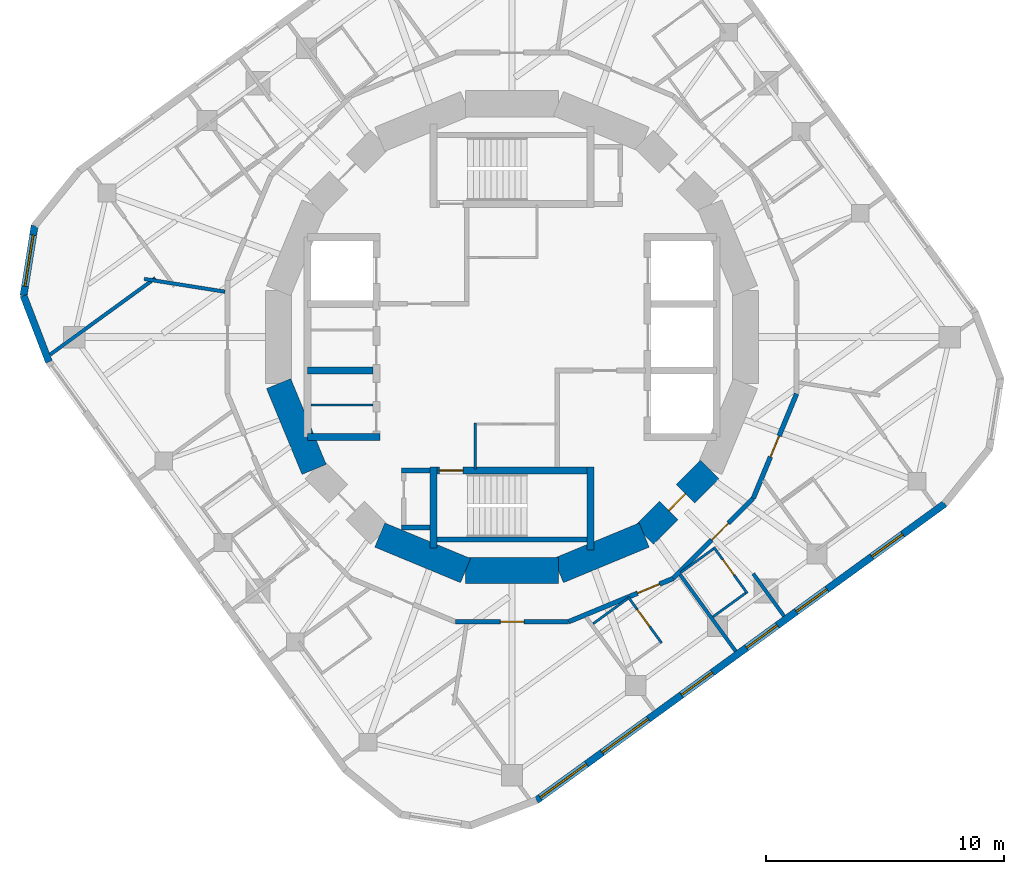
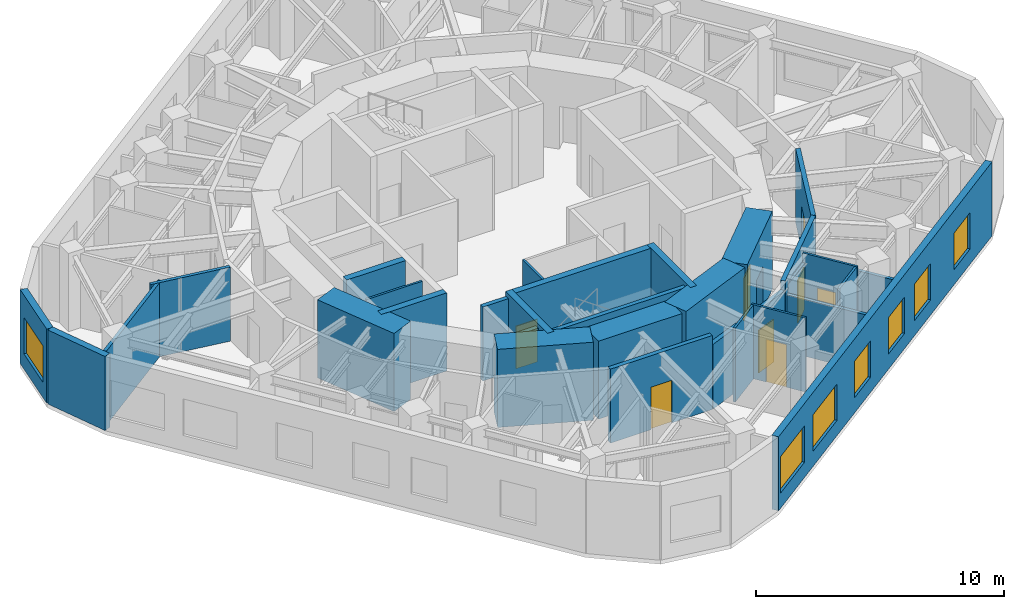
# One storey, part 4 of 9: 31 walls, 8 doors, 7 windows, 15 openings.
"""IFC4 building model written with IfcOpenShell, lengths in metres."""

from ifc_helpers import new_model, si_unit, direction, frame, frame_2d, origin, place, context, subcontext, project, spatial, rectangle, extrude, material, layer, layer_set, type_object, element, fill, save


model = new_model("IFC4")

# Units and contexts
model_context = context("Model", 3, precision=1e-05, world=origin(), true_north=direction((0.0, 1.0)))
body_context = subcontext(model_context, "Body", "Model", "MODEL_VIEW")
ifc_project = project(units=[si_unit("LENGTHUNIT", "METRE"), si_unit("AREAUNIT", "SQUARE_METRE"), si_unit("VOLUMEUNIT", "CUBIC_METRE"), si_unit("PLANEANGLEUNIT", "RADIAN"), si_unit("MASSUNIT", "GRAM", prefix="KILO")], contexts=[model_context])

# Site, building, storey
site_placement = place(None, origin())
site = spatial("IfcSite", under=ifc_project, at=site_placement, CompositionType="ELEMENT")
building_placement = place(site_placement, origin())
building = spatial("IfcBuilding", under=site, at=building_placement, Name="Nakasero Lantern House", CompositionType="ELEMENT")
storey_placement = place(building_placement, frame((0.0, 0.0, 267.60009765625)))
storey = spatial("IfcBuildingStorey", under=building, at=storey_placement, Name="L65", CompositionType="ELEMENT", Elevation=267.60009765625)

# Walls
ifc_material_1 = material(Name="Concrete C50/60", Category="concrete")
ifc_layer_1 = layer(ifc_material_1, 0.300048828125)
ifc_layer_set_1 = layer_set([ifc_layer_1], Name="Core inner wall 300")
wall_type_1 = type_object("IfcWallType", Name="Core inner wall 300", PredefinedType="SHEAR", material=ifc_layer_set_1)
wall_1_placement = place(storey_placement, frame((-8.60009765625, -4.199951171875, 0.0), z_axis=(0.0, 0.0, 1.0), x_axis=(1.0, 0.0, 0.0)))
element("IfcWall", 1, at=wall_1_placement, inside=storey, type_object=wall_type_1, Name="Core inner wall L65 LWS", PredefinedType="SHEAR", context=body_context, shape_type="SweptSolid", body=[
    extrude(rectangle(XDim=3.050048828125, YDim=0.300048828125, at=frame_2d((1.52490234375, 0.0))), origin(), (0.0, 0.0, 1.0), 3.849853515625),
])
wall_2_placement = place(storey_placement, frame((-8.60009765625, -1.39990234375, 0.0), z_axis=(0.0, 0.0, 1.0), x_axis=(1.0, 0.0, 0.0)))
element("IfcWall", 2, at=wall_2_placement, inside=storey, type_object=wall_type_1, Name="Core inner wall L65 LW1", PredefinedType="SHEAR", context=body_context, shape_type="SweptSolid", body=[
    extrude(rectangle(XDim=2.75, YDim=0.300048828125, at=frame_2d((1.375, 0.0))), origin(), (0.0, 0.0, 1.0), 3.849853515625),
])

# Wall, opening, door
wall_3_placement = place(storey_placement, frame((-3.449951171875, -5.60009765625, 0.0), z_axis=(0.0, 0.0, 1.0), x_axis=(1.0, 0.0, 0.0)))
wall_3 = element("IfcWall", 3, at=wall_3_placement, inside=storey, type_object=wall_type_1, Name="Core inner wall L65 SS", PredefinedType="SHEAR", context=body_context, shape_type="SweptSolid", body=[
    extrude(rectangle(XDim=6.89990234375, YDim=0.300048828125, at=frame_2d((3.449951171875, 0.0))), origin(), (0.0, 0.0, 1.0), 3.849853515625),
])
opening_1_placement = place(wall_3_placement, frame((0.39990234375, 0.0, 0.0)))
opening_1 = element("IfcOpeningElement", 4, at=opening_1_placement, cuts=wall_3, Name="Opening D05", PredefinedType="OPENING", context=body_context, shape_type="SweptSolid", body=[
    extrude(rectangle(XDim=1.0, YDim=2.10009765625, at=frame_2d((0.5, 1.050048828125))), frame((0.0, 0.169921875, 0.0), z_axis=(0.0, -1.0, 0.0), x_axis=(1.0, 0.0, 0.0)), (0.0, 0.0, 1.0), 0.340087890625),
])
ifc_material_2 = material(Name="Timber C24", Category="wood")
door_type_1 = type_object("IfcDoorType", Name="Core door FD60S 1000", OperationType="SINGLE_SWING_LEFT", PredefinedType="DOOR", material=ifc_material_2)
door_1_placement = place(opening_1_placement, origin())
door_1 = element("IfcDoor", 5, at=door_1_placement, inside=storey, type_object=door_type_1, Name="Door L65 D-ST2", OperationType="SINGLE_SWING_LEFT", OverallHeight=2.10009765625, OverallWidth=1.0, PredefinedType="DOOR", context=body_context, shape_type="SweptSolid", body=[
    extrude(rectangle(XDim=1.0, YDim=2.10009765625, at=frame_2d((0.5, 1.050048828125))), frame((0.0, 0.02490234375, 0.0), z_axis=(0.0, -1.0, 0.0), x_axis=(1.0, 0.0, 0.0)), (0.0, 0.0, 1.0), 0.050048828125),
])
fill(opening_1, door_1)

# Walls
wall_4_placement = place(storey_placement, frame((-3.300048828125, -5.449951171875, 0.0), z_axis=(0.0, 0.0, 1.0), x_axis=(0.0, -1.0, 0.0)))
element("IfcWall", 6, at=wall_4_placement, inside=storey, type_object=wall_type_1, Name="Core inner wall L65 SSW", PredefinedType="SHEAR", context=body_context, shape_type="SweptSolid", body=[
    extrude(rectangle(XDim=3.400146484375, YDim=0.300048828125, at=frame_2d((1.7001953125, 0.0))), origin(), (0.0, 0.0, 1.0), 3.849853515625),
])
wall_5_placement = place(storey_placement, frame((3.300048828125, -5.449951171875, 0.0), z_axis=(0.0, 0.0, 1.0), x_axis=(0.0, -1.0, 0.0)))
element("IfcWall", 7, at=wall_5_placement, inside=storey, type_object=wall_type_1, Name="Core inner wall L65 SSE", PredefinedType="SHEAR", context=body_context, shape_type="SweptSolid", body=[
    extrude(rectangle(XDim=3.5, YDim=0.300048828125, at=frame_2d((1.75, 0.0))), origin(), (0.0, 0.0, 1.0), 3.849853515625),
])
ifc_material_3 = material(Name="Blockwork", Category="masonry")
ifc_layer_2 = layer(ifc_material_3, 0.10009765625)
ifc_layer_set_2 = layer_set([ifc_layer_2], Name="Core room wall 100")
wall_type_2 = type_object("IfcWallType", Name="Core room wall 100", PredefinedType="PARTITIONING", material=ifc_layer_set_2)
wall_6_placement = place(storey_placement, frame((-1.550048828125, -5.550048828125, 0.0), z_axis=(0.0, 0.0, 1.0), x_axis=(0.0, 1.0, 0.0)))
element("IfcWall", 8, at=wall_6_placement, inside=storey, type_object=wall_type_2, Name="Core room wall L65 CR-SWW", PredefinedType="PARTITIONING", context=body_context, shape_type="SweptSolid", body=[
    extrude(rectangle(XDim=1.949951171875, YDim=0.10009765625, at=frame_2d((0.97509765625, 0.0))), origin(), (0.0, 0.0, 1.0), 3.64990234375),
])
wall_7_placement = place(storey_placement, frame((-8.449951171875, -2.85009765625, 0.0), z_axis=(0.0, 0.0, 1.0), x_axis=(1.0, 0.0, 0.0)))
element("IfcWall", 9, at=wall_7_placement, inside=storey, type_object=wall_type_2, Name="Core room wall L65 CR-SH-LW1b", PredefinedType="PARTITIONING", context=body_context, shape_type="SweptSolid", body=[
    extrude(rectangle(XDim=2.599853515625, YDim=0.10009765625, at=frame_2d((1.2998046875, 0.0))), origin(), (0.0, 0.0, 1.0), 3.64990234375),
])
ifc_material_4 = material(Name="Concrete C50/60", Category="concrete")
ifc_layer_3 = layer(ifc_material_4, 1.10009765625)
ifc_layer_set_3 = layer_set([ifc_layer_3], Name="Core wall 1100")
wall_type_3 = type_object("IfcWallType", Name="Core wall 1100", PredefinedType="SHEAR", material=ifc_layer_set_3)
for number, where, z_axis, x_axis, name in (
    (10, (-9.807861328125, -1.950927734375, 0.0), (0.0, 0.0, 1.0), (0.382690736062, -0.923876507187, 0.0), "Core wall L65 facet 9"),
    (11, (-5.5556640625, -8.314697265625, 0.0), (0.0, 0.0, 1.0), (0.923876507187, -0.382690736062, 0.0), "Core wall L65 facet 11"),
    (12, (-1.950927734375, -9.807861328125, 0.0), (0.0, 0.0, 1.0), (1.0, 0.0, 0.0), "Core wall L65 facet 12"),
    (13, (1.950927734375, -9.807861328125, 0.0), (0.0, 0.0, 1.0), (0.923876507187, 0.382690736062, 0.0), "Core wall L65 facet 13"),
):
    element("IfcWall", number, at=place(storey_placement, frame(where, z_axis=z_axis, x_axis=x_axis)), inside=storey, type_object=wall_type_3, Name=name, PredefinedType="SHEAR", context=body_context, shape_type="SweptSolid", body=[
        extrude(rectangle(XDim=3.90185546875, YDim=1.10009765625, at=frame_2d((1.950927734375, 0.0))), origin(), (0.0, 0.0, 1.0), 3.849853515625),
    ])

# Wall, opening, door
wall_8_placement = place(storey_placement, frame((5.5556640625, -8.314697265625, 0.0), z_axis=(0.0, 0.0, 1.0), x_axis=(0.707106781187, 0.707106781187, 0.0)))
wall_8 = element("IfcWall", 14, at=wall_8_placement, inside=storey, type_object=wall_type_3, Name="Core wall L65 facet 14", PredefinedType="SHEAR", context=body_context, shape_type="SweptSolid", body=[
    extrude(rectangle(XDim=3.90185546875, YDim=1.10009765625, at=frame_2d((1.950927734375, 0.0))), origin(), (0.0, 0.0, 1.0), 3.849853515625),
])
opening_2_placement = place(wall_8_placement, frame((1.450927734375, 0.0, 0.0)))
opening_2 = element("IfcOpeningElement", 15, at=opening_2_placement, cuts=wall_8, Name="Opening D05", PredefinedType="OPENING", context=body_context, shape_type="SweptSolid", body=[
    extrude(rectangle(XDim=1.0, YDim=2.10009765625, at=frame_2d((0.5, 1.050048828125))), frame((0.0, 0.570068359375, 0.0), z_axis=(0.0, -1.0, 0.0), x_axis=(1.0, 0.0, 0.0)), (0.0, 0.0, 1.0), 1.14013671875),
])
door_2_placement = place(opening_2_placement, origin())
door_2 = element("IfcDoor", 16, at=door_2_placement, inside=storey, type_object=door_type_1, Name="Door L65 D-CORE14", OperationType="SINGLE_SWING_LEFT", OverallHeight=2.10009765625, OverallWidth=1.0, PredefinedType="DOOR", context=body_context, shape_type="SweptSolid", body=[
    extrude(rectangle(XDim=1.0, YDim=2.10009765625, at=frame_2d((0.5, 1.050048828125))), frame((0.0, 0.02490234375, 0.0), z_axis=(0.0, -1.0, 0.0), x_axis=(1.0, 0.0, 0.0)), (0.0, 0.0, 1.0), 0.050048828125),
])
fill(opening_2, door_2)

ifc_material_5 = material(Name="Blockwork", Category="masonry")
ifc_layer_4 = layer(ifc_material_5, 0.199951171875)
ifc_layer_set_4 = layer_set([ifc_layer_4], Name="Corridor wall 200")
wall_type_4 = type_object("IfcWallType", Name="Corridor wall 200", PredefinedType="PARTITIONING", material=ifc_layer_set_4)
wall_9_placement = place(storey_placement, frame((11.957763671875, -2.378662109375, 0.0), z_axis=(0.0, 0.0, 1.0), x_axis=(-0.382653970627, -0.923891735412, 0.0)))
wall_9 = element("IfcWall", 17, at=wall_9_placement, inside=storey, type_object=wall_type_4, Name="Corridor wall L65 RC01a", PredefinedType="PARTITIONING", context=body_context, shape_type="SweptSolid", body=[
    extrude(rectangle(XDim=4.757080078125, YDim=0.199951171875, at=frame_2d((2.37841796875, 0.0))), origin(), (0.0, 0.0, 1.0), 3.64990234375),
])
opening_3_placement = place(wall_9_placement, frame((1.919921875, 0.0, 0.0)))
opening_3 = element("IfcOpeningElement", 18, at=opening_3_placement, cuts=wall_9, Name="Opening D01", PredefinedType="OPENING", context=body_context, shape_type="SweptSolid", body=[
    extrude(rectangle(XDim=0.949951171875, YDim=2.10009765625, at=frame_2d((0.47509765625, 1.050048828125))), frame((0.0, 0.119873046875, 0.0), z_axis=(0.0, -1.0, 0.0), x_axis=(1.0, 0.0, 0.0)), (0.0, 0.0, 1.0), 0.239990234375),
])
ifc_material_6 = material(Name="Timber C24", Category="wood")
door_type_2 = type_object("IfcDoorType", Name="Bedroom door FD30S 950", OperationType="SINGLE_SWING_LEFT", PredefinedType="DOOR", material=ifc_material_6)
door_3_placement = place(opening_3_placement, origin())
door_3 = element("IfcDoor", 19, at=door_3_placement, inside=storey, type_object=door_type_2, Name="Door L65 D3-06", OperationType="SINGLE_SWING_RIGHT", OverallHeight=2.10009765625, OverallWidth=0.949951171875, PredefinedType="DOOR", context=body_context, shape_type="SweptSolid", body=[
    extrude(rectangle(XDim=0.949951171875, YDim=2.10009765625, at=frame_2d((0.47509765625, 1.050048828125))), frame((0.0, 0.02490234375, 0.0), z_axis=(0.0, -1.0, 0.0), x_axis=(1.0, 0.0, 0.0)), (0.0, 0.0, 1.0), 0.050048828125),
])
fill(opening_3, door_3)

wall_10_placement = place(storey_placement, frame((10.137451171875, -6.773681640625, 0.0), z_axis=(0.0, 0.0, 1.0), x_axis=(-0.707106781187, -0.707106781187, 0.0)))
wall_10 = element("IfcWall", 20, at=wall_10_placement, inside=storey, type_object=wall_type_4, Name="Corridor wall L65 RC02a", PredefinedType="PARTITIONING", context=body_context, shape_type="SweptSolid", body=[
    extrude(rectangle(XDim=4.757080078125, YDim=0.199951171875, at=frame_2d((2.37841796875, 0.0))), origin(), (0.0, 0.0, 1.0), 3.64990234375),
])
opening_4_placement = place(wall_10_placement, frame((1.469970703125, 0.0, 0.0)))
opening_4 = element("IfcOpeningElement", 21, at=opening_4_placement, cuts=wall_10, Name="Opening D07", PredefinedType="OPENING", context=body_context, shape_type="SweptSolid", body=[
    extrude(rectangle(XDim=1.0, YDim=2.10009765625, at=frame_2d((0.5, 1.050048828125))), frame((0.0, 0.119873046875, 0.0), z_axis=(0.0, -1.0, 0.0), x_axis=(1.0, 0.0, 0.0)), (0.0, 0.0, 1.0), 0.239990234375),
])
ifc_material_7 = material(Name="Timber C24", Category="wood")
door_type_3 = type_object("IfcDoorType", Name="Room door FD30S 1000", OperationType="SINGLE_SWING_LEFT", PredefinedType="DOOR", material=ifc_material_7)
door_4_placement = place(opening_4_placement, origin())
door_4 = element("IfcDoor", 22, at=door_4_placement, inside=storey, type_object=door_type_3, Name="Door L65 D3-04", OperationType="SINGLE_SWING_LEFT", OverallHeight=2.10009765625, OverallWidth=1.0, PredefinedType="DOOR", context=body_context, shape_type="SweptSolid", body=[
    extrude(rectangle(XDim=1.0, YDim=2.10009765625, at=frame_2d((0.5, 1.050048828125))), frame((0.0, 0.02490234375, 0.0), z_axis=(0.0, -1.0, 0.0), x_axis=(1.0, 0.0, 0.0)), (0.0, 0.0, 1.0), 0.050048828125),
])
fill(opening_4, door_4)

wall_11_placement = place(storey_placement, frame((6.773681640625, -10.137451171875, 0.0), z_axis=(0.0, 0.0, 1.0), x_axis=(-0.923891735412, -0.382653970627, 0.0)))
wall_11 = element("IfcWall", 23, at=wall_11_placement, inside=storey, type_object=wall_type_4, Name="Corridor wall L65 RC03a", PredefinedType="PARTITIONING", context=body_context, shape_type="SweptSolid", body=[
    extrude(rectangle(XDim=4.757080078125, YDim=0.199951171875, at=frame_2d((2.37841796875, 0.0))), origin(), (0.0, 0.0, 1.0), 3.18994140625),
])
opening_5_placement = place(wall_11_placement, frame((0.6201171875, 0.0, 0.0)))
opening_5 = element("IfcOpeningElement", 24, at=opening_5_placement, cuts=wall_11, Name="Opening D07", PredefinedType="OPENING", context=body_context, shape_type="SweptSolid", body=[
    extrude(rectangle(XDim=1.0, YDim=2.10009765625, at=frame_2d((0.5, 1.050048828125))), frame((0.0, 0.119873046875, 0.0), z_axis=(0.0, -1.0, 0.0), x_axis=(1.0, 0.0, 0.0)), (0.0, 0.0, 1.0), 0.239990234375),
])
door_5_placement = place(opening_5_placement, origin())
door_5 = element("IfcDoor", 25, at=door_5_placement, inside=storey, type_object=door_type_3, Name="Door L65 D3-03", OperationType="SINGLE_SWING_LEFT", OverallHeight=2.10009765625, OverallWidth=1.0, PredefinedType="DOOR", context=body_context, shape_type="SweptSolid", body=[
    extrude(rectangle(XDim=1.0, YDim=2.10009765625, at=frame_2d((0.5, 1.050048828125))), frame((0.0, 0.02490234375, 0.0), z_axis=(0.0, -1.0, 0.0), x_axis=(1.0, 0.0, 0.0)), (0.0, 0.0, 1.0), 0.050048828125),
])
fill(opening_5, door_5)

wall_12_placement = place(storey_placement, frame((2.378662109375, -11.957763671875, 0.0), z_axis=(0.0, 0.0, 1.0), x_axis=(-1.0, 0.0, 0.0)))
wall_12 = element("IfcWall", 26, at=wall_12_placement, inside=storey, type_object=wall_type_4, Name="Corridor wall L65 RC04a", PredefinedType="PARTITIONING", context=body_context, shape_type="SweptSolid", body=[
    extrude(rectangle(XDim=4.75732421875, YDim=0.199951171875, at=frame_2d((2.378662109375, 0.0))), origin(), (0.0, 0.0, 1.0), 3.64990234375),
])
opening_6_placement = place(wall_12_placement, frame((1.8701171875, 0.0, 0.0)))
opening_6 = element("IfcOpeningElement", 27, at=opening_6_placement, cuts=wall_12, Name="Opening D03", PredefinedType="OPENING", context=body_context, shape_type="SweptSolid", body=[
    extrude(rectangle(XDim=1.0, YDim=2.10009765625, at=frame_2d((0.5, 1.050048828125))), frame((0.0, 0.119873046875, 0.0), z_axis=(0.0, -1.0, 0.0), x_axis=(1.0, 0.0, 0.0)), (0.0, 0.0, 1.0), 0.239990234375),
])
ifc_material_8 = material(Name="Timber C24", Category="wood")
door_type_4 = type_object("IfcDoorType", Name="Lounge door FD30S 1000", OperationType="SINGLE_SWING_LEFT", PredefinedType="DOOR", material=ifc_material_8)
door_6_placement = place(opening_6_placement, origin())
door_6 = element("IfcDoor", 28, at=door_6_placement, inside=storey, type_object=door_type_4, Name="Door L65 DK3", OperationType="SINGLE_SWING_LEFT", OverallHeight=2.10009765625, OverallWidth=1.0, PredefinedType="DOOR", context=body_context, shape_type="SweptSolid", body=[
    extrude(rectangle(XDim=1.0, YDim=2.10009765625, at=frame_2d((0.5, 1.050048828125))), frame((0.0, 0.02490234375, 0.0), z_axis=(0.0, -1.0, 0.0), x_axis=(1.0, 0.0, 0.0)), (0.0, 0.0, 1.0), 0.050048828125),
])
fill(opening_6, door_6)

ifc_material_9 = material(Name="Blockwork", Category="masonry")
ifc_layer_5 = layer(ifc_material_9, 0.10009765625)
ifc_layer_set_5 = layer_set([ifc_layer_5], Name="En-suite wall 100")
wall_type_5 = type_object("IfcWallType", Name="En-suite wall 100", PredefinedType="PARTITIONING", material=ifc_layer_set_5)
wall_13_placement = place(storey_placement, frame((4.878173828125, -10.912841796875, 0.0), z_axis=(0.0, 0.0, 1.0), x_axis=(0.587772420479, -0.809026317077, 0.0)))
wall_13 = element("IfcWall", 29, at=wall_13_placement, inside=storey, type_object=wall_type_5, Name="En-suite wall L65 ES3-03", PredefinedType="PARTITIONING", context=body_context, shape_type="SweptSolid", body=[
    extrude(rectangle(XDim=2.39990234375, YDim=0.10009765625, at=frame_2d((1.199951171875, 0.0))), origin(), (0.0, 0.0, 1.0), 3.64990234375),
])
opening_7_placement = place(wall_13_placement, frame((0.64990234375, 0.0, 0.0)))
opening_7 = element("IfcOpeningElement", 30, at=opening_7_placement, cuts=wall_13, Name="Opening D16", PredefinedType="OPENING", context=body_context, shape_type="SweptSolid", body=[
    extrude(rectangle(XDim=0.89990234375, YDim=2.10009765625, at=frame_2d((0.449951171875, 1.050048828125))), frame((0.0, 0.070068359375, 0.0), z_axis=(0.0, -1.0, 0.0), x_axis=(1.0, 0.0, 0.0)), (0.0, 0.0, 1.0), 0.14013671875),
])
ifc_material_10 = material(Name="Timber C24", Category="wood")
door_type_5 = type_object("IfcDoorType", Name="Accessible WC door 900", OperationType="SINGLE_SWING_RIGHT", PredefinedType="DOOR", material=ifc_material_10)
door_7_placement = place(opening_7_placement, origin())
door_7 = element("IfcDoor", 31, at=door_7_placement, inside=storey, type_object=door_type_5, Name="Door L65 DE3-03", OperationType="SINGLE_SWING_LEFT", OverallHeight=2.10009765625, OverallWidth=0.89990234375, PredefinedType="DOOR", context=body_context, shape_type="SweptSolid", body=[
    extrude(rectangle(XDim=0.89990234375, YDim=2.10009765625, at=frame_2d((0.449951171875, 1.050048828125))), frame((0.0, 0.02490234375, 0.0), z_axis=(0.0, -1.0, 0.0), x_axis=(1.0, 0.0, 0.0)), (0.0, 0.0, 1.0), 0.050048828125),
])
fill(opening_7, door_7)

# Wall
wall_14_placement = place(storey_placement, frame((3.410888671875, -12.040771484375, 0.0), z_axis=(0.0, 0.0, 1.0), x_axis=(0.809005783898, 0.58780068188, 0.0)))
element("IfcWall", 32, at=wall_14_placement, inside=storey, type_object=wall_type_5, Name="En-suite wall L65 EI3-03", PredefinedType="PARTITIONING", context=body_context, shape_type="SweptSolid", body=[
    extrude(rectangle(XDim=1.800048828125, YDim=0.10009765625, at=frame_2d((0.89990234375, 0.0))), origin(), (0.0, 0.0, 1.0), 3.64990234375),
])

# Wall, opening, door
wall_15_placement = place(storey_placement, frame((8.47802734375, -8.822021484375, 0.0), z_axis=(0.0, 0.0, 1.0), x_axis=(0.587772420479, -0.809026317077, 0.0)))
wall_15 = element("IfcWall", 33, at=wall_15_placement, inside=storey, type_object=wall_type_5, Name="En-suite wall L65 ES3-04", PredefinedType="PARTITIONING", context=body_context, shape_type="SweptSolid", body=[
    extrude(rectangle(XDim=2.39990234375, YDim=0.10009765625, at=frame_2d((1.199951171875, 0.0))), origin(), (0.0, 0.0, 1.0), 3.64990234375),
])
opening_8_placement = place(wall_15_placement, frame((0.64990234375, 0.0, 0.0)))
opening_8 = element("IfcOpeningElement", 34, at=opening_8_placement, cuts=wall_15, Name="Opening D15", PredefinedType="OPENING", context=body_context, shape_type="SweptSolid", body=[
    extrude(rectangle(XDim=0.800048828125, YDim=2.10009765625, at=frame_2d((0.39990234375, 1.050048828125))), frame((0.0, 0.070068359375, 0.0), z_axis=(0.0, -1.0, 0.0), x_axis=(1.0, 0.0, 0.0)), (0.0, 0.0, 1.0), 0.14013671875),
])
ifc_material_11 = material(Name="Timber C24", Category="wood")
door_type_6 = type_object("IfcDoorType", Name="Cleaner's store door FD30S 800", OperationType="SINGLE_SWING_LEFT", PredefinedType="DOOR", material=ifc_material_11)
door_8_placement = place(opening_8_placement, origin())
door_8 = element("IfcDoor", 35, at=door_8_placement, inside=storey, type_object=door_type_6, Name="Door L65 DE3-04", OperationType="SINGLE_SWING_LEFT", OverallHeight=2.10009765625, OverallWidth=0.800048828125, PredefinedType="DOOR", context=body_context, shape_type="SweptSolid", body=[
    extrude(rectangle(XDim=0.800048828125, YDim=2.10009765625, at=frame_2d((0.39990234375, 1.050048828125))), frame((0.0, 0.02490234375, 0.0), z_axis=(0.0, -1.0, 0.0), x_axis=(1.0, 0.0, 0.0)), (0.0, 0.0, 1.0), 0.050048828125),
])
fill(opening_8, door_8)

# Walls
wall_16_placement = place(storey_placement, frame((8.443359375, -11.751708984375, 0.0), z_axis=(0.0, 0.0, 1.0), x_axis=(0.809040252033, 0.58775323954, 0.0)))
element("IfcWall", 36, at=wall_16_placement, inside=storey, type_object=wall_type_5, Name="En-suite wall L65 EE3-04", PredefinedType="PARTITIONING", context=body_context, shape_type="SweptSolid", body=[
    extrude(rectangle(XDim=1.7001953125, YDim=0.10009765625, at=frame_2d((0.85009765625, 0.0))), origin(), (0.0, 0.0, 1.0), 3.64990234375),
])
wall_17_placement = place(storey_placement, frame((7.091552734375, -9.89111328125, 0.0), z_axis=(0.0, 0.0, 1.0), x_axis=(0.808990636343, 0.587821529301, 0.0)))
element("IfcWall", 37, at=wall_17_placement, inside=storey, type_object=wall_type_5, Name="En-suite wall L65 EI3-04", PredefinedType="PARTITIONING", context=body_context, shape_type="SweptSolid", body=[
    extrude(rectangle(XDim=1.699951171875, YDim=0.10009765625, at=frame_2d((0.85009765625, 0.0))), origin(), (0.0, 0.0, 1.0), 3.18994140625),
])

# Wall, opening, window
ifc_material_12 = material(Name="Aluminium rainscreen on blockwork", Category="masonry")
ifc_layer_6 = layer(ifc_material_12, 0.300048828125)
ifc_layer_set_6 = layer_set([ifc_layer_6], Name="Facade wall 300")
wall_type_6 = type_object("IfcWallType", Name="Facade wall 300", PredefinedType="SOLIDWALL", material=ifc_layer_set_6)
wall_18_placement = place(storey_placement, frame((-20.05908203125, 4.683837890625, 0.0), z_axis=(0.0, 0.0, 1.0), x_axis=(-0.156413227021, -0.987691704133, 0.0)))
wall_18 = element("IfcWall", 38, at=wall_18_placement, inside=storey, type_object=wall_type_6, Name="Facade wall L65 FW1C2", PredefinedType="SOLIDWALL", context=body_context, shape_type="SweptSolid", body=[
    extrude(rectangle(XDim=2.9765625, YDim=0.300048828125, at=frame_2d((1.48828125, 0.0))), origin(), (0.0, 0.0, 1.0), 3.64990234375),
])
opening_9_placement = place(wall_18_placement, frame((0.39990234375, 0.0, 0.75)))
opening_9 = element("IfcOpeningElement", 39, at=opening_9_placement, cuts=wall_18, Name="Opening W221", PredefinedType="OPENING", context=body_context, shape_type="SweptSolid", body=[
    extrude(rectangle(XDim=2.176025390625, YDim=1.800048828125, at=frame_2d((1.087890625, 0.89990234375))), frame((0.0, 0.169921875, 0.0), z_axis=(0.0, -1.0, 0.0), x_axis=(1.0, 0.0, 0.0)), (0.0, 0.0, 1.0), 0.340087890625),
])
ifc_material_13 = material(Name="Aluminium 6063-T6 and glass", Category="aluminium")
window_type_1 = type_object("IfcWindowType", Name="Corner window 2176x1800", PartitioningType="SINGLE_PANEL", PredefinedType="WINDOW", material=ifc_material_13)
window_1_placement = place(opening_9_placement, origin())
window_1 = element("IfcWindow", 40, at=window_1_placement, inside=storey, type_object=window_type_1, Name="Window L65 WC1", OverallHeight=1.800048828125, OverallWidth=2.176025390625, PartitioningType="SINGLE_PANEL", PredefinedType="WINDOW", context=body_context, shape_type="SweptSolid", body=[
    extrude(rectangle(XDim=2.176025390625, YDim=1.800048828125, at=frame_2d((1.087890625, 0.89990234375))), frame((0.0, 0.030029296875, 0.0), z_axis=(0.0, -1.0, 0.0), x_axis=(1.0, 0.0, 0.0)), (0.0, 0.0, 1.0), 0.06005859375),
])
fill(opening_9, window_1)

# Wall
wall_19_placement = place(storey_placement, frame((-20.524658203125, 1.743896484375, 0.0), z_axis=(0.0, 0.0, 1.0), x_axis=(0.35838535244, -0.933573745966, 0.0)))
element("IfcWall", 41, at=wall_19_placement, inside=storey, type_object=wall_type_6, Name="Facade wall L65 FW1C3", PredefinedType="SOLIDWALL", context=body_context, shape_type="SweptSolid", body=[
    extrude(rectangle(XDim=2.976318359375, YDim=0.300048828125, at=frame_2d((1.48828125, 0.0))), origin(), (0.0, 0.0, 1.0), 3.64990234375),
])

# Wall, openings, windows
wall_20_placement = place(storey_placement, frame((1.03466796875, -19.4580078125, 0.0), z_axis=(0.0, 0.0, 1.0), x_axis=(0.809013375328, 0.587790233451, 0.0)))
wall_20 = element("IfcWall", 42, at=wall_20_placement, inside=storey, type_object=wall_type_6, Name="Facade wall L65 FW3S", PredefinedType="SOLIDWALL", context=body_context, shape_type="SweptSolid", body=[
    extrude(rectangle(XDim=21.199951171875, YDim=0.300048828125, at=frame_2d((10.60009765625, 0.0))), origin(), (0.0, 0.0, 1.0), 3.64990234375),
])
opening_10_placement = place(wall_20_placement, frame((7.52783203125, 0.0, 0.75)))
opening_10 = element("IfcOpeningElement", 43, at=opening_10_placement, cuts=wall_20, Name="Opening W01", PredefinedType="OPENING", context=body_context, shape_type="SweptSolid", body=[
    extrude(rectangle(XDim=1.60009765625, YDim=1.800048828125, at=frame_2d((0.800048828125, 0.89990234375))), frame((0.0, 0.169921875, 0.0), z_axis=(0.0, -1.0, 0.0), x_axis=(1.0, 0.0, 0.0)), (0.0, 0.0, 1.0), 0.340087890625),
])
opening_11_placement = place(wall_20_placement, frame((10.904052734375, 0.0, 0.75)))
opening_11 = element("IfcOpeningElement", 44, at=opening_11_placement, cuts=wall_20, Name="Opening W01", PredefinedType="OPENING", context=body_context, shape_type="SweptSolid", body=[
    extrude(rectangle(XDim=1.60009765625, YDim=1.800048828125, at=frame_2d((0.800048828125, 0.89990234375))), frame((0.0, 0.169921875, 0.0), z_axis=(0.0, -1.0, 0.0), x_axis=(1.0, 0.0, 0.0)), (0.0, 0.0, 1.0), 0.340087890625),
])
opening_12_placement = place(wall_20_placement, frame((13.484619140625, 0.0, 0.75)))
opening_12 = element("IfcOpeningElement", 45, at=opening_12_placement, cuts=wall_20, Name="Opening W01", PredefinedType="OPENING", context=body_context, shape_type="SweptSolid", body=[
    extrude(rectangle(XDim=1.60009765625, YDim=1.800048828125, at=frame_2d((0.800048828125, 0.89990234375))), frame((0.0, 0.169921875, 0.0), z_axis=(0.0, -1.0, 0.0), x_axis=(1.0, 0.0, 0.0)), (0.0, 0.0, 1.0), 0.340087890625),
])
opening_13_placement = place(wall_20_placement, frame((17.410888671875, 0.0, 0.75)))
opening_13 = element("IfcOpeningElement", 46, at=opening_13_placement, cuts=wall_20, Name="Opening W01", PredefinedType="OPENING", context=body_context, shape_type="SweptSolid", body=[
    extrude(rectangle(XDim=1.60009765625, YDim=1.800048828125, at=frame_2d((0.800048828125, 0.89990234375))), frame((0.0, 0.169921875, 0.0), z_axis=(0.0, -1.0, 0.0), x_axis=(1.0, 0.0, 0.0)), (0.0, 0.0, 1.0), 0.340087890625),
])
opening_14_placement = place(wall_20_placement, frame((0.1904296875, 0.0, 0.75)))
opening_14 = element("IfcOpeningElement", 47, at=opening_14_placement, cuts=wall_20, Name="Opening W03", PredefinedType="OPENING", context=body_context, shape_type="SweptSolid", body=[
    extrude(rectangle(XDim=2.39990234375, YDim=1.800048828125, at=frame_2d((1.199951171875, 0.89990234375))), frame((0.0, 0.169921875, 0.0), z_axis=(0.0, -1.0, 0.0), x_axis=(1.0, 0.0, 0.0)), (0.0, 0.0, 1.0), 0.340087890625),
])
opening_15_placement = place(wall_20_placement, frame((3.401611328125, 0.0, 0.75)))
opening_15 = element("IfcOpeningElement", 48, at=opening_15_placement, cuts=wall_20, Name="Opening W03", PredefinedType="OPENING", context=body_context, shape_type="SweptSolid", body=[
    extrude(rectangle(XDim=2.39990234375, YDim=1.800048828125, at=frame_2d((1.199951171875, 0.89990234375))), frame((0.0, 0.169921875, 0.0), z_axis=(0.0, -1.0, 0.0), x_axis=(1.0, 0.0, 0.0)), (0.0, 0.0, 1.0), 0.340087890625),
])
ifc_material_14 = material(Name="Aluminium 6063-T6 and glass", Category="aluminium")
window_type_2 = type_object("IfcWindowType", Name="Bedroom window 1600x1800", PartitioningType="SINGLE_PANEL", PredefinedType="WINDOW", material=ifc_material_14)
window_2_placement = place(opening_10_placement, origin())
window_2 = element("IfcWindow", 49, at=window_2_placement, inside=storey, type_object=window_type_2, Name="Window L65 WN3-03", OverallHeight=1.800048828125, OverallWidth=1.60009765625, PartitioningType="SINGLE_PANEL", PredefinedType="WINDOW", context=body_context, shape_type="SweptSolid", body=[
    extrude(rectangle(XDim=1.60009765625, YDim=1.800048828125, at=frame_2d((0.800048828125, 0.89990234375))), frame((0.0, 0.030029296875, 0.0), z_axis=(0.0, -1.0, 0.0), x_axis=(1.0, 0.0, 0.0)), (0.0, 0.0, 1.0), 0.06005859375),
])
fill(opening_10, window_2)
window_3_placement = place(opening_11_placement, origin())
window_3 = element("IfcWindow", 50, at=window_3_placement, inside=storey, type_object=window_type_2, Name="Window L65 WN3-04", OverallHeight=1.800048828125, OverallWidth=1.60009765625, PartitioningType="SINGLE_PANEL", PredefinedType="WINDOW", context=body_context, shape_type="SweptSolid", body=[
    extrude(rectangle(XDim=1.60009765625, YDim=1.800048828125, at=frame_2d((0.800048828125, 0.89990234375))), frame((0.0, 0.030029296875, 0.0), z_axis=(0.0, -1.0, 0.0), x_axis=(1.0, 0.0, 0.0)), (0.0, 0.0, 1.0), 0.06005859375),
])
fill(opening_11, window_3)
window_4_placement = place(opening_12_placement, origin())
window_4 = element("IfcWindow", 51, at=window_4_placement, inside=storey, type_object=window_type_2, Name="Window L65 WN3-05", OverallHeight=1.800048828125, OverallWidth=1.60009765625, PartitioningType="SINGLE_PANEL", PredefinedType="WINDOW", context=body_context, shape_type="SweptSolid", body=[
    extrude(rectangle(XDim=1.60009765625, YDim=1.800048828125, at=frame_2d((0.800048828125, 0.89990234375))), frame((0.0, 0.030029296875, 0.0), z_axis=(0.0, -1.0, 0.0), x_axis=(1.0, 0.0, 0.0)), (0.0, 0.0, 1.0), 0.06005859375),
])
fill(opening_12, window_4)
window_5_placement = place(opening_13_placement, origin())
window_5 = element("IfcWindow", 52, at=window_5_placement, inside=storey, type_object=window_type_2, Name="Window L65 WN3-06", OverallHeight=1.800048828125, OverallWidth=1.60009765625, PartitioningType="SINGLE_PANEL", PredefinedType="WINDOW", context=body_context, shape_type="SweptSolid", body=[
    extrude(rectangle(XDim=1.60009765625, YDim=1.800048828125, at=frame_2d((0.800048828125, 0.89990234375))), frame((0.0, 0.030029296875, 0.0), z_axis=(0.0, -1.0, 0.0), x_axis=(1.0, 0.0, 0.0)), (0.0, 0.0, 1.0), 0.06005859375),
])
fill(opening_13, window_5)
ifc_material_15 = material(Name="Aluminium 6063-T6 and glass", Category="aluminium")
window_type_3 = type_object("IfcWindowType", Name="Lounge window 2400x1800", PartitioningType="SINGLE_PANEL", PredefinedType="WINDOW", material=ifc_material_15)
window_6_placement = place(opening_14_placement, origin())
window_6 = element("IfcWindow", 53, at=window_6_placement, inside=storey, type_object=window_type_3, Name="Window L65 WK3", OverallHeight=1.800048828125, OverallWidth=2.39990234375, PartitioningType="SINGLE_PANEL", PredefinedType="WINDOW", context=body_context, shape_type="SweptSolid", body=[
    extrude(rectangle(XDim=2.39990234375, YDim=1.800048828125, at=frame_2d((1.199951171875, 0.89990234375))), frame((0.0, 0.030029296875, 0.0), z_axis=(0.0, -1.0, 0.0), x_axis=(1.0, 0.0, 0.0)), (0.0, 0.0, 1.0), 0.06005859375),
])
fill(opening_14, window_6)
window_7_placement = place(opening_15_placement, origin())
window_7 = element("IfcWindow", 54, at=window_7_placement, inside=storey, type_object=window_type_3, Name="Window L65 WL3", OverallHeight=1.800048828125, OverallWidth=2.39990234375, PartitioningType="SINGLE_PANEL", PredefinedType="WINDOW", context=body_context, shape_type="SweptSolid", body=[
    extrude(rectangle(XDim=2.39990234375, YDim=1.800048828125, at=frame_2d((1.199951171875, 0.89990234375))), frame((0.0, 0.030029296875, 0.0), z_axis=(0.0, -1.0, 0.0), x_axis=(1.0, 0.0, 0.0)), (0.0, 0.0, 1.0), 0.06005859375),
])
fill(opening_15, window_7)

# Walls
ifc_material_16 = material(Name="Blockwork", Category="masonry")
ifc_layer_7 = layer(ifc_material_16, 0.199951171875)
ifc_layer_set_7 = layer_set([ifc_layer_7], Name="Fire lobby wall 200")
wall_type_7 = type_object("IfcWallType", Name="Fire lobby wall 200", PredefinedType="PARTITIONING", material=ifc_layer_set_7)
for number, where, z_axis, x_axis, name in (
    (55, (-3.449951171875, -8.0, 0.0), (0.0, 0.0, 1.0), (-1.0, 0.0, 0.0), "Fire lobby wall L65 W-RS2S"),
    (56, (-3.449951171875, -5.60009765625, 0.0), (0.0, 0.0, 1.0), (-1.0, 0.0, 0.0), "Fire lobby wall L65 W-RS2N"),
):
    element("IfcWall", number, at=place(storey_placement, frame(where, z_axis=z_axis, x_axis=x_axis)), inside=storey, type_object=wall_type_7, Name=name, PredefinedType="PARTITIONING", context=body_context, shape_type="SweptSolid", body=[
        extrude(rectangle(XDim=1.199951171875, YDim=0.199951171875, at=frame_2d((0.60009765625, 0.0))), origin(), (0.0, 0.0, 1.0), 3.64990234375),
    ])
wall_21_placement = place(storey_placement, frame((-3.300048828125, -8.5, 0.0), z_axis=(0.0, 0.0, 1.0), x_axis=(1.0, 0.0, 0.0)))
element("IfcWall", 57, at=wall_21_placement, inside=storey, type_object=wall_type_7, Name="Fire lobby wall L65 W-STS", PredefinedType="PARTITIONING", context=body_context, shape_type="SweptSolid", body=[
    extrude(rectangle(XDim=6.60009765625, YDim=0.199951171875, at=frame_2d((3.300048828125, 0.0))), origin(), (0.0, 0.0, 1.0), 3.64990234375),
])
ifc_material_17 = material(Name="Blockwork", Category="masonry")
ifc_layer_8 = layer(ifc_material_17, 0.14990234375)
ifc_layer_set_8 = layer_set([ifc_layer_8], Name="Party wall 150")
wall_type_8 = type_object("IfcWallType", Name="Party wall 150", PredefinedType="PARTITIONING", material=ifc_layer_set_8)
wall_22_placement = place(storey_placement, frame((-12.057861328125, 1.90966796875, 0.0), z_axis=(0.0, 0.0, 1.0), x_axis=(-0.987683439553, 0.156465405864, 0.0)))
element("IfcWall", 58, at=wall_22_placement, inside=storey, type_object=wall_type_8, Name="Party wall L65 PD1", PredefinedType="PARTITIONING", context=body_context, shape_type="SweptSolid", body=[
    extrude(rectangle(XDim=3.440673828125, YDim=0.14990234375, at=frame_2d((1.72021484375, 0.0))), origin(), (0.0, 0.0, 1.0), 3.64990234375),
])
wall_23_placement = place(storey_placement, frame((-14.9853515625, 2.48095703125, 0.0), z_axis=(0.0, 0.0, 1.0), x_axis=(-0.809023745549, -0.587775959987, 0.0)))
element("IfcWall", 59, at=wall_23_placement, inside=storey, type_object=wall_type_8, Name="Party wall L65 PW2-01", PredefinedType="PARTITIONING", context=body_context, shape_type="SweptSolid", body=[
    extrude(rectangle(XDim=5.466552734375, YDim=0.14990234375, at=frame_2d((2.7333984375, 0.0))), origin(), (0.0, 0.0, 1.0), 3.64990234375),
])
wall_24_placement = place(storey_placement, frame((10.13818359375, -9.939208984375, 0.0), z_axis=(0.0, 0.0, 1.0), x_axis=(0.587821928992, -0.808990345923, 0.0)))
element("IfcWall", 60, at=wall_24_placement, inside=storey, type_object=wall_type_8, Name="Party wall L65 PN3-05", PredefinedType="PARTITIONING", context=body_context, shape_type="SweptSolid", body=[
    extrude(rectangle(XDim=2.199951171875, YDim=0.14990234375, at=frame_2d((1.10009765625, 0.0))), origin(), (0.0, 0.0, 1.0), 2.95703125),
])
wall_25_placement = place(storey_placement, frame((7.067138671875, -9.985107421875, 0.0), z_axis=(0.0, 0.0, 1.0), x_axis=(0.587802119896, -0.809004739075, 0.0)))
element("IfcWall", 61, at=wall_25_placement, inside=storey, type_object=wall_type_8, Name="Party wall L65 PW3-04", PredefinedType="PARTITIONING", context=body_context, shape_type="SweptSolid", body=[
    extrude(rectangle(XDim=3.9677734375, YDim=0.14990234375, at=frame_2d((1.98388671875, 0.0))), origin(), (0.0, 0.0, 1.0), 2.80908203125),
])

save(model, "model.ifc")
